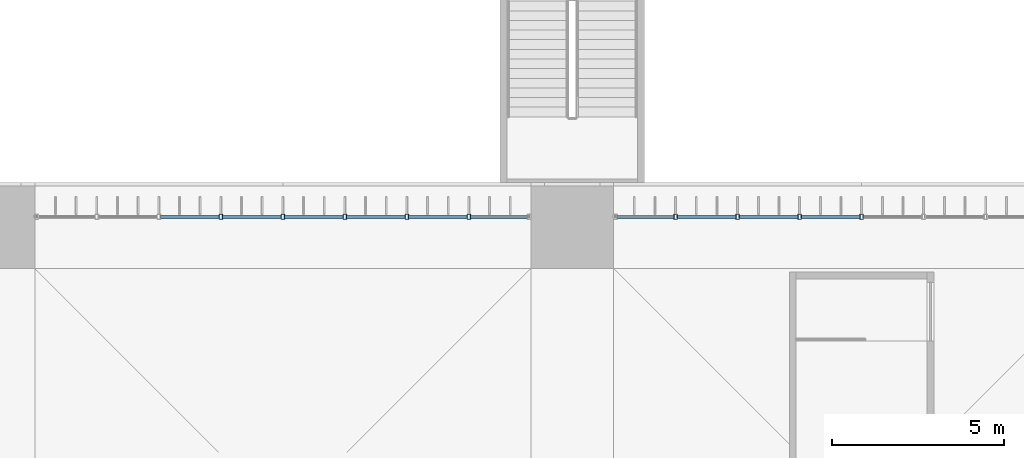
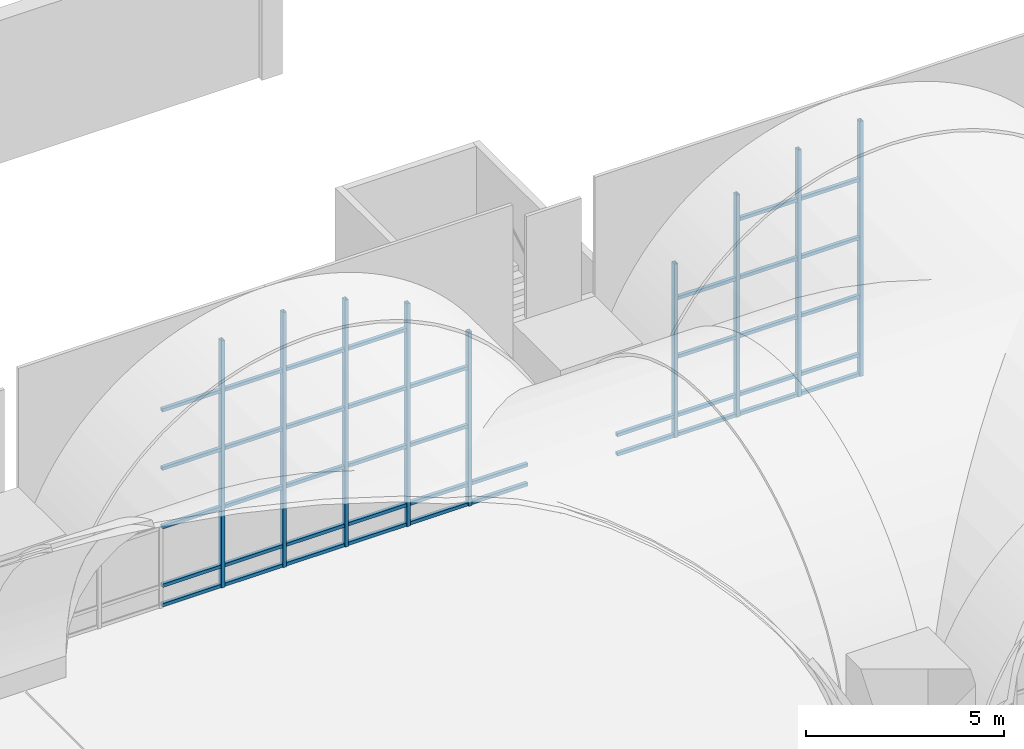
# One storey, part 40 of 169: 51 members, 2 elements without a shape of their own.
"""IFC4 building model written with IfcOpenShell, lengths in metres."""

import ifcopenshell
import ifcopenshell.guid

model = None  # the IFC model being written
_history = None  # IfcOwnerHistory: only IFC2X3 demands one
_inside = {}  # id of a spatial element -> (the spatial element, [elements in it])
_under = {}  # id of a project, library or spatial element -> (it, [spatial elements below it])
_declared = {}  # id of a project -> (the project, [libraries it declares])
_typed = {}  # id of a type object -> (the type object, [elements of that type])
_made_of = {}  # id of a material, layer set ... -> (it, [elements and type objects made of it])


def new_model(schema):
    """Start an empty IFC model of exactly this schema.

    Asked for "IFC4X3", IfcOpenShell would pick the latest addendum, in which some entities
    have other attributes; the version numbers below select the first issue.
    IFC2X3 requires an IfcOwnerHistory on every rooted entity: one is made here for all.
    """
    global model, _history
    if schema == "IFC4X3":
        model = ifcopenshell.file(schema_version=(4, 3, 0, 0))
    else:
        model = ifcopenshell.file(schema=schema)
    _inside.clear()
    _under.clear()
    _declared.clear()
    _typed.clear()
    _made_of.clear()
    _history = None
    if model.schema == "IFC2X3":
        org = make("IfcOrganization", Name="unknown")
        user = make(
            "IfcPersonAndOrganization",
            ThePerson=make("IfcPerson", FamilyName="unknown"),
            TheOrganization=org,
        )
        app = make(
            "IfcApplication",
            ApplicationDeveloper=org,
            Version="unknown",
            ApplicationFullName="unknown",
            ApplicationIdentifier="unknown",
        )
        _history = make(
            "IfcOwnerHistory",
            OwningUser=user,
            OwningApplication=app,
            ChangeAction="ADDED",
            CreationDate=0,
        )
    return model


def make(cls, **values):
    """One entity of the class cls with the attributes given. An attribute that is None is left unset."""
    return model.create_entity(
        cls, **{name: value for name, value in values.items() if value is not None}
    )


def rooted(cls, **values):
    """An entity with a GlobalId (a new one), such as an element, a storey or a relation."""
    return make(cls, GlobalId=ifcopenshell.guid.new(), OwnerHistory=_history, **values)


def si_unit(unit_type, name, prefix=None):
    """IfcSIUnit, for example si_unit("LENGTHUNIT", "METRE", prefix="MILLI")."""
    return make("IfcSIUnit", UnitType=unit_type, Prefix=prefix, Name=name)


def assignment(units):
    """IfcUnitAssignment: the units of a project."""
    return None if units is None else make("IfcUnitAssignment", Units=units)


def point(xyz):
    """IfcCartesianPoint."""
    return None if xyz is None else make("IfcCartesianPoint", Coordinates=xyz)


def direction(xyz):
    """IfcDirection."""
    return None if xyz is None else make("IfcDirection", DirectionRatios=xyz)


def frame(location, z_axis=None, x_axis=None):
    """IfcAxis2Placement3D, a coordinate frame: its origin and axes. An axis left out is left unset."""
    return make(
        "IfcAxis2Placement3D",
        Location=point(location),
        Axis=direction(z_axis),
        RefDirection=direction(x_axis),
    )


def frame_2d(location, x_axis=None):
    """IfcAxis2Placement2D, a coordinate frame in the plane: its origin and x axis."""
    return make(
        "IfcAxis2Placement2D", Location=point(location), RefDirection=direction(x_axis)
    )


def origin():
    """The frame at (0, 0, 0) with its axes left unset."""
    return frame((0.0, 0.0, 0.0))


def origin_2d():
    """The frame at (0, 0) in the plane with its x axis left unset."""
    return frame_2d((0.0, 0.0))


def place(relative_to, where):
    """IfcLocalPlacement: puts the frame where relative to a parent placement (None: the world)."""
    return make(
        "IfcLocalPlacement", PlacementRelTo=relative_to, RelativePlacement=where
    )


def context(
    kind, dimensions, precision=None, world=None, true_north=None, identifier=None
):
    """IfcGeometricRepresentationContext, for example the 3D "Model" context."""
    return make(
        "IfcGeometricRepresentationContext",
        ContextIdentifier=identifier,
        ContextType=kind,
        CoordinateSpaceDimension=dimensions,
        Precision=precision,
        WorldCoordinateSystem=world,
        TrueNorth=true_north,
    )


def subcontext(parent, identifier, kind, view, scale=None):
    """IfcGeometricRepresentationSubContext, for example "Body" below "Model"."""
    return make(
        "IfcGeometricRepresentationSubContext",
        ContextIdentifier=identifier,
        ContextType=kind,
        ParentContext=parent,
        TargetScale=scale,
        TargetView=view,
    )


def project(units=None, contexts=None):
    """IfcProject with its units and contexts."""
    return rooted(
        "IfcProject",
        Name="project",
        RepresentationContexts=contexts,
        UnitsInContext=assignment(units),
    )


def spatial(cls, under=None, at=None, **own):
    """A site, building, storey or space (cls), placed at a placement, below another one or the project."""
    s = rooted(cls, ObjectPlacement=at, **own)
    if under is not None:
        _under.setdefault(under.id(), (under, []))[1].append(s)
    return s


def profile(cls, at=None, kind="AREA", **sizes):
    """A parametric profile (cls). Its sizes go by their IFC names, for example OverallWidth=200.0."""
    return make(cls, ProfileType=kind, Position=at, **sizes)


def hollow_rectangle(**sizes):
    """IfcRectangleHollowProfileDef."""
    return profile("IfcRectangleHollowProfileDef", **sizes)


def extrude(swept, where, along, depth):
    """IfcExtrudedAreaSolid: the profile swept, set in the frame where, extruded along a direction by depth."""
    return make(
        "IfcExtrudedAreaSolid",
        SweptArea=swept,
        Position=where,
        ExtrudedDirection=direction(along),
        Depth=depth,
    )


def shape(context_of_items, identifier, shape_type, items):
    """IfcShapeRepresentation: the items that make up one representation, for example the "Body"."""
    return make(
        "IfcShapeRepresentation",
        ContextOfItems=context_of_items,
        RepresentationIdentifier=identifier,
        RepresentationType=shape_type,
        Items=items,
    )


def material(Name=None, Category=None):
    """IfcMaterial."""
    return make("IfcMaterial", Name=Name, Category=Category)


def layer(
    of_material, thickness, ventilated=None, Name=None, Category=None, Priority=None
):
    """IfcMaterialLayer: one layer of a wall or slab, of a material (None: an air gap)."""
    return make(
        "IfcMaterialLayer",
        Material=of_material,
        LayerThickness=thickness,
        IsVentilated=ventilated,
        Name=Name,
        Category=Category,
        Priority=Priority,
    )


def layer_set(layers, Name=None):
    """IfcMaterialLayerSet."""
    return make("IfcMaterialLayerSet", MaterialLayers=layers, LayerSetName=Name)


def material_profile(
    of_material, cross_section, Name=None, Category=None, Priority=None
):
    """IfcMaterialProfile: a cross section and its material."""
    return make(
        "IfcMaterialProfile",
        Name=Name,
        Material=of_material,
        Profile=cross_section,
        Priority=Priority,
        Category=Category,
    )


def profile_set(profiles, Name=None, composite=None):
    """IfcMaterialProfileSet."""
    return make(
        "IfcMaterialProfileSet",
        Name=Name,
        MaterialProfiles=profiles,
        CompositeProfile=composite,
    )


def made_of(thing, what):
    """Note that an element or type object is made of a material, layer set ...; save() writes the relation."""
    if what is not None:
        _made_of.setdefault(what.id(), (what, []))[1].append(thing)
    return thing


def type_object(cls, material=None, **own):
    """A type object (cls), such as IfcWallType, which elements share."""
    return made_of(rooted(cls, **own), material)


def element(
    cls,
    number,
    at=None,
    inside=None,
    cuts=None,
    type_object=None,
    material=None,
    context=None,
    identifier="Body",
    shape_type=None,
    held_by="IfcProductDefinitionShape",
    body=None,
    shapes=None,
    **own,
):
    """One element of the class cls, such as IfcWall. Its Tag is "e" and its number.

    at: its placement. inside: the storey or other place that contains it. cuts: it is an
    opening in that element (IfcRelVoidsElement). A single representation is given by context,
    identifier, shape_type and body (its items); several are given by shapes. held_by: the class
    of the entity that holds the representations. save() writes the other relations.
    """
    e = rooted(cls, Tag="e%d" % number, ObjectPlacement=at, **own)
    if body is not None:
        shapes = [shape(context, identifier, shape_type, body)]
    if shapes is not None:
        e.Representation = make(held_by, Representations=shapes)
    if inside is not None:
        _inside.setdefault(inside.id(), (inside, []))[1].append(e)
    if cuts is not None:
        rooted(
            "IfcRelVoidsElement", RelatingBuildingElement=cuts, RelatedOpeningElement=e
        )
    if type_object is not None:
        _typed.setdefault(type_object.id(), (type_object, []))[1].append(e)
    return made_of(e, material)


def aggregate(whole, parts):
    """IfcRelAggregates: a whole, such as a stair, and the parts it consists of."""
    return rooted("IfcRelAggregates", RelatingObject=whole, RelatedObjects=parts)


def save(model, path):
    """Write the relations noted so far, then the file.

    IfcRelAggregates (storeys below a building ...), IfcRelContainedInSpatialStructure (elements
    in a storey), IfcRelDefinesByType, IfcRelAssociatesMaterial and IfcRelDeclares: one each for
    every whole, place, type object, material and project.
    """
    for whole, parts in _under.values():
        aggregate(whole, parts)
    for where, things in _inside.values():
        rooted(
            "IfcRelContainedInSpatialStructure",
            RelatedElements=things,
            RelatingStructure=where,
        )
    for kind, things in _typed.values():
        rooted("IfcRelDefinesByType", RelatedObjects=things, RelatingType=kind)
    for what, things in _made_of.values():
        rooted("IfcRelAssociatesMaterial", RelatedObjects=things, RelatingMaterial=what)
    for by, libraries in _declared.values():
        rooted("IfcRelDeclares", RelatingContext=by, RelatedDefinitions=libraries)
    model.write(path)


model = new_model("IFC4")

# Units and contexts
model_context = context("Model", 3, precision=1e-05, world=origin(), true_north=direction((0.0, 1.0)))
body_context = subcontext(model_context, "Body", "Model", "MODEL_VIEW")
ifc_project = project(units=[si_unit("LENGTHUNIT", "METRE"), si_unit("AREAUNIT", "SQUARE_METRE"), si_unit("VOLUMEUNIT", "CUBIC_METRE"), si_unit("PLANEANGLEUNIT", "RADIAN"), si_unit("MASSUNIT", "GRAM", prefix="KILO")], contexts=[model_context])

# Site, building, storey
site_placement = place(None, origin())
site = spatial("IfcSite", under=ifc_project, at=site_placement, CompositionType="ELEMENT")
building_placement = place(site_placement, origin())
building = spatial("IfcBuilding", under=site, at=building_placement, Name="Verrick Yard Athletic Hall", CompositionType="ELEMENT")
storey_placement = place(building_placement, frame((0.0, 0.0, 4.39990234375)))
storey = spatial("IfcBuildingStorey", under=building, at=storey_placement, Name="L01", CompositionType="ELEMENT", Elevation=4.39990234375)

# Curtain wall, members
ifc_material_1 = material(Name="Aluminium and glass curtain wall", Category="aluminium")
ifc_layer = layer(ifc_material_1, 0.14990234375)
ifc_layer_set = layer_set([ifc_layer], Name="Arcade glazing arch")
curtain_wall_type = type_object("IfcCurtainWallType", Name="Arcade glazing arch", PredefinedType="NOTDEFINED", material=ifc_layer_set)
curtain_wall_1_placement = place(storey_placement, origin())
curtain_wall_1 = element("IfcCurtainWall", 1, at=curtain_wall_1_placement, inside=storey, type_object=curtain_wall_type, Name="Arcade glazing N4", PredefinedType="NOTDEFINED")
ifc_material_2 = material(Name="Structural steel HSS Class C 350W (CSA G40.20/G40.21)", Category="steel")
ifc_material_profile_1 = material_profile(ifc_material_2, hollow_rectangle(XDim=0.1015625, YDim=0.15234375, WallThickness=0.008056640625, at=origin_2d()), Name="HSS152x102x7.9")
ifc_profile_set_1 = profile_set([ifc_material_profile_1], Name="Structural steel HSS Class C 350W (CSA G40.20/G40.21)")
member_type_1 = type_object("IfcMemberType", Name="Curtain wall mullion HSS152x102x7.9", PredefinedType="MULLION", material=ifc_profile_set_1)
member_1_placement = place(storey_placement, frame((97.0, 53.10009765625, 0.0), z_axis=(0.0, 0.0, 1.0), x_axis=(1.0, 0.0, 0.0)))
member_1 = element("IfcMember", 2, at=member_1_placement, type_object=member_type_1, Name="Arcade glazing N4 mullion 4", PredefinedType="MULLION", context=body_context, shape_type="SweptSolid", body=[
    extrude(hollow_rectangle(XDim=0.1015625, YDim=0.15234375, WallThickness=0.008056640625, at=origin_2d()), origin(), (0.0, 0.0, 1.0), 7.607666015625),
])
member_2_placement = place(storey_placement, frame((98.800048828125, 53.10009765625, 0.0), z_axis=(0.0, 0.0, 1.0), x_axis=(1.0, 0.0, 0.0)))
member_2 = element("IfcMember", 3, at=member_2_placement, type_object=member_type_1, Name="Arcade glazing N4 mullion 5", PredefinedType="MULLION", context=body_context, shape_type="SweptSolid", body=[
    extrude(hollow_rectangle(XDim=0.1015625, YDim=0.15234375, WallThickness=0.008056640625, at=origin_2d()), origin(), (0.0, 0.0, 1.0), 7.8486328125),
])
member_3_placement = place(storey_placement, frame((100.60009765625, 53.10009765625, 0.0), z_axis=(0.0, 0.0, 1.0), x_axis=(1.0, 0.0, 0.0)))
member_3 = element("IfcMember", 4, at=member_3_placement, type_object=member_type_1, Name="Arcade glazing N4 mullion 6", PredefinedType="MULLION", context=body_context, shape_type="SweptSolid", body=[
    extrude(hollow_rectangle(XDim=0.1015625, YDim=0.15234375, WallThickness=0.008056640625, at=origin_2d()), origin(), (0.0, 0.0, 1.0), 7.607666015625),
])
member_4_placement = place(storey_placement, frame((102.39990234375, 53.10009765625, 0.0), z_axis=(0.0, 0.0, 1.0), x_axis=(1.0, 0.0, 0.0)))
member_4 = element("IfcMember", 5, at=member_4_placement, type_object=member_type_1, Name="Arcade glazing N4 mullion 7", PredefinedType="MULLION", context=body_context, shape_type="SweptSolid", body=[
    extrude(hollow_rectangle(XDim=0.1015625, YDim=0.15234375, WallThickness=0.008056640625, at=origin_2d()), origin(), (0.0, 0.0, 1.0), 6.8544921875),
])
member_5_placement = place(storey_placement, frame((104.199951171875, 53.10009765625, 0.0), z_axis=(0.0, 0.0, 1.0), x_axis=(1.0, 0.0, 0.0)))
member_5 = element("IfcMember", 6, at=member_5_placement, type_object=member_type_1, Name="Arcade glazing N4 mullion 8", PredefinedType="MULLION", context=body_context, shape_type="SweptSolid", body=[
    extrude(hollow_rectangle(XDim=0.1015625, YDim=0.15234375, WallThickness=0.008056640625, at=origin_2d()), origin(), (0.0, 0.0, 1.0), 5.351806640625),
])

curtain_wall_2_placement = place(storey_placement, origin())
curtain_wall_2 = element("IfcCurtainWall", 7, at=curtain_wall_2_placement, inside=storey, type_object=curtain_wall_type, Name="Arcade glazing N5", PredefinedType="NOTDEFINED")
member_6_placement = place(storey_placement, frame((110.199951171875, 53.10009765625, 0.0), z_axis=(0.0, 0.0, 1.0), x_axis=(1.0, 0.0, 0.0)))
member_6 = element("IfcMember", 8, at=member_6_placement, type_object=member_type_1, Name="Arcade glazing N5 mullion 2", PredefinedType="MULLION", context=body_context, shape_type="SweptSolid", body=[
    extrude(hollow_rectangle(XDim=0.1015625, YDim=0.15234375, WallThickness=0.008056640625, at=origin_2d()), origin(), (0.0, 0.0, 1.0), 5.351806640625),
])
member_7_placement = place(storey_placement, frame((112.0, 53.10009765625, 0.0), z_axis=(0.0, 0.0, 1.0), x_axis=(1.0, 0.0, 0.0)))
member_7 = element("IfcMember", 9, at=member_7_placement, type_object=member_type_1, Name="Arcade glazing N5 mullion 3", PredefinedType="MULLION", context=body_context, shape_type="SweptSolid", body=[
    extrude(hollow_rectangle(XDim=0.1015625, YDim=0.15234375, WallThickness=0.008056640625, at=origin_2d()), origin(), (0.0, 0.0, 1.0), 6.8544921875),
])
member_8_placement = place(storey_placement, frame((113.800048828125, 53.10009765625, 0.0), z_axis=(0.0, 0.0, 1.0), x_axis=(1.0, 0.0, 0.0)))
member_8 = element("IfcMember", 10, at=member_8_placement, type_object=member_type_1, Name="Arcade glazing N5 mullion 4", PredefinedType="MULLION", context=body_context, shape_type="SweptSolid", body=[
    extrude(hollow_rectangle(XDim=0.1015625, YDim=0.15234375, WallThickness=0.008056640625, at=origin_2d()), origin(), (0.0, 0.0, 1.0), 7.607666015625),
])
member_9_placement = place(storey_placement, frame((115.60009765625, 53.10009765625, 0.0), z_axis=(0.0, 0.0, 1.0), x_axis=(1.0, 0.0, 0.0)))
member_9 = element("IfcMember", 11, at=member_9_placement, type_object=member_type_1, Name="Arcade glazing N5 mullion 5", PredefinedType="MULLION", context=body_context, shape_type="SweptSolid", body=[
    extrude(hollow_rectangle(XDim=0.1015625, YDim=0.15234375, WallThickness=0.008056640625, at=origin_2d()), origin(), (0.0, 0.0, 1.0), 7.8486328125),
])

# Member
ifc_material_profile_2 = material_profile(ifc_material_2, hollow_rectangle(XDim=0.1015625, YDim=0.1015625, WallThickness=0.00634765625, at=origin_2d()), Name="HSS102x102x6.4")
ifc_profile_set_2 = profile_set([ifc_material_profile_2], Name="Structural steel HSS Class C 350W (CSA G40.20/G40.21)")
member_type_2 = type_object("IfcMemberType", Name="Curtain wall transom HSS102x102x6.4", PredefinedType="USERDEFINED", material=ifc_profile_set_2)
member_10_placement = place(storey_placement, frame((95.250732421875, 53.10009765625, 0.05078125), z_axis=(1.0, 0.0, 0.0), x_axis=(0.0, 1.0, 0.0)))
member_10 = element("IfcMember", 12, at=member_10_placement, type_object=member_type_2, Name="Arcade glazing N4 transom 7", ObjectType="TRANSOM", PredefinedType="USERDEFINED", context=body_context, shape_type="SweptSolid", body=[
    extrude(hollow_rectangle(XDim=0.1015625, YDim=0.1015625, WallThickness=0.00634765625, at=origin_2d()), origin(), (0.0, 0.0, 1.0), 1.698486328125),
])

member_11_placement = place(storey_placement, frame((95.250732421875, 53.10009765625, 0.650146484375), z_axis=(1.0, 0.0, 0.0), x_axis=(0.0, 1.0, 0.0)))
member_11 = element("IfcMember", 13, at=member_11_placement, type_object=member_type_2, Name="Arcade glazing N4 transom 8", ObjectType="TRANSOM", PredefinedType="USERDEFINED", context=body_context, shape_type="SweptSolid", body=[
    extrude(hollow_rectangle(XDim=0.1015625, YDim=0.1015625, WallThickness=0.00634765625, at=origin_2d()), origin(), (0.0, 0.0, 1.0), 1.698486328125),
])

member_12_placement = place(storey_placement, frame((95.250732421875, 53.10009765625, 2.4501953125), z_axis=(1.0, 0.0, 0.0), x_axis=(0.0, 1.0, 0.0)))
member_12 = element("IfcMember", 14, at=member_12_placement, type_object=member_type_2, Name="Arcade glazing N4 transom 9", ObjectType="TRANSOM", PredefinedType="USERDEFINED", context=body_context, shape_type="SweptSolid", body=[
    extrude(hollow_rectangle(XDim=0.1015625, YDim=0.1015625, WallThickness=0.00634765625, at=origin_2d()), origin(), (0.0, 0.0, 1.0), 1.698486328125),
])

member_13_placement = place(storey_placement, frame((95.250732421875, 53.10009765625, 4.25), z_axis=(1.0, 0.0, 0.0), x_axis=(0.0, 1.0, 0.0)))
member_13 = element("IfcMember", 15, at=member_13_placement, type_object=member_type_2, Name="Arcade glazing N4 transom 10", ObjectType="TRANSOM", PredefinedType="USERDEFINED", context=body_context, shape_type="SweptSolid", body=[
    extrude(hollow_rectangle(XDim=0.1015625, YDim=0.1015625, WallThickness=0.00634765625, at=origin_2d()), origin(), (0.0, 0.0, 1.0), 1.698486328125),
])

member_14_placement = place(storey_placement, frame((95.250732421875, 53.10009765625, 6.050048828125), z_axis=(1.0, 0.0, 0.0), x_axis=(0.0, 1.0, 0.0)))
member_14 = element("IfcMember", 16, at=member_14_placement, type_object=member_type_2, Name="Arcade glazing N4 transom 11", ObjectType="TRANSOM", PredefinedType="USERDEFINED", context=body_context, shape_type="SweptSolid", body=[
    extrude(hollow_rectangle(XDim=0.1015625, YDim=0.1015625, WallThickness=0.00634765625, at=origin_2d()), origin(), (0.0, 0.0, 1.0), 1.698486328125),
])

member_15_placement = place(storey_placement, frame((97.05078125, 53.10009765625, 0.05078125), z_axis=(1.0, 0.0, 0.0), x_axis=(0.0, 1.0, 0.0)))
member_15 = element("IfcMember", 17, at=member_15_placement, type_object=member_type_2, Name="Arcade glazing N4 transom 12", ObjectType="TRANSOM", PredefinedType="USERDEFINED", context=body_context, shape_type="SweptSolid", body=[
    extrude(hollow_rectangle(XDim=0.1015625, YDim=0.1015625, WallThickness=0.00634765625, at=origin_2d()), origin(), (0.0, 0.0, 1.0), 1.698486328125),
])

member_16_placement = place(storey_placement, frame((97.05078125, 53.10009765625, 0.650146484375), z_axis=(1.0, 0.0, 0.0), x_axis=(0.0, 1.0, 0.0)))
member_16 = element("IfcMember", 18, at=member_16_placement, type_object=member_type_2, Name="Arcade glazing N4 transom 13", ObjectType="TRANSOM", PredefinedType="USERDEFINED", context=body_context, shape_type="SweptSolid", body=[
    extrude(hollow_rectangle(XDim=0.1015625, YDim=0.1015625, WallThickness=0.00634765625, at=origin_2d()), origin(), (0.0, 0.0, 1.0), 1.698486328125),
])

member_17_placement = place(storey_placement, frame((97.05078125, 53.10009765625, 2.4501953125), z_axis=(1.0, 0.0, 0.0), x_axis=(0.0, 1.0, 0.0)))
member_17 = element("IfcMember", 19, at=member_17_placement, type_object=member_type_2, Name="Arcade glazing N4 transom 14", ObjectType="TRANSOM", PredefinedType="USERDEFINED", context=body_context, shape_type="SweptSolid", body=[
    extrude(hollow_rectangle(XDim=0.1015625, YDim=0.1015625, WallThickness=0.00634765625, at=origin_2d()), origin(), (0.0, 0.0, 1.0), 1.698486328125),
])

member_18_placement = place(storey_placement, frame((97.05078125, 53.10009765625, 4.25), z_axis=(1.0, 0.0, 0.0), x_axis=(0.0, 1.0, 0.0)))
member_18 = element("IfcMember", 20, at=member_18_placement, type_object=member_type_2, Name="Arcade glazing N4 transom 15", ObjectType="TRANSOM", PredefinedType="USERDEFINED", context=body_context, shape_type="SweptSolid", body=[
    extrude(hollow_rectangle(XDim=0.1015625, YDim=0.1015625, WallThickness=0.00634765625, at=origin_2d()), origin(), (0.0, 0.0, 1.0), 1.698486328125),
])

member_19_placement = place(storey_placement, frame((97.05078125, 53.10009765625, 6.050048828125), z_axis=(1.0, 0.0, 0.0), x_axis=(0.0, 1.0, 0.0)))
member_19 = element("IfcMember", 21, at=member_19_placement, type_object=member_type_2, Name="Arcade glazing N4 transom 16", ObjectType="TRANSOM", PredefinedType="USERDEFINED", context=body_context, shape_type="SweptSolid", body=[
    extrude(hollow_rectangle(XDim=0.1015625, YDim=0.1015625, WallThickness=0.00634765625, at=origin_2d()), origin(), (0.0, 0.0, 1.0), 1.698486328125),
])

member_20_placement = place(storey_placement, frame((98.850830078125, 53.10009765625, 0.05078125), z_axis=(1.0, 0.0, 0.0), x_axis=(0.0, 1.0, 0.0)))
member_20 = element("IfcMember", 22, at=member_20_placement, type_object=member_type_2, Name="Arcade glazing N4 transom 17", ObjectType="TRANSOM", PredefinedType="USERDEFINED", context=body_context, shape_type="SweptSolid", body=[
    extrude(hollow_rectangle(XDim=0.1015625, YDim=0.1015625, WallThickness=0.00634765625, at=origin_2d()), origin(), (0.0, 0.0, 1.0), 1.698486328125),
])

member_21_placement = place(storey_placement, frame((98.850830078125, 53.10009765625, 0.650146484375), z_axis=(1.0, 0.0, 0.0), x_axis=(0.0, 1.0, 0.0)))
member_21 = element("IfcMember", 23, at=member_21_placement, type_object=member_type_2, Name="Arcade glazing N4 transom 18", ObjectType="TRANSOM", PredefinedType="USERDEFINED", context=body_context, shape_type="SweptSolid", body=[
    extrude(hollow_rectangle(XDim=0.1015625, YDim=0.1015625, WallThickness=0.00634765625, at=origin_2d()), origin(), (0.0, 0.0, 1.0), 1.698486328125),
])

member_22_placement = place(storey_placement, frame((98.850830078125, 53.10009765625, 2.4501953125), z_axis=(1.0, 0.0, 0.0), x_axis=(0.0, 1.0, 0.0)))
member_22 = element("IfcMember", 24, at=member_22_placement, type_object=member_type_2, Name="Arcade glazing N4 transom 19", ObjectType="TRANSOM", PredefinedType="USERDEFINED", context=body_context, shape_type="SweptSolid", body=[
    extrude(hollow_rectangle(XDim=0.1015625, YDim=0.1015625, WallThickness=0.00634765625, at=origin_2d()), origin(), (0.0, 0.0, 1.0), 1.698486328125),
])

member_23_placement = place(storey_placement, frame((98.850830078125, 53.10009765625, 4.25), z_axis=(1.0, 0.0, 0.0), x_axis=(0.0, 1.0, 0.0)))
member_23 = element("IfcMember", 25, at=member_23_placement, type_object=member_type_2, Name="Arcade glazing N4 transom 20", ObjectType="TRANSOM", PredefinedType="USERDEFINED", context=body_context, shape_type="SweptSolid", body=[
    extrude(hollow_rectangle(XDim=0.1015625, YDim=0.1015625, WallThickness=0.00634765625, at=origin_2d()), origin(), (0.0, 0.0, 1.0), 1.698486328125),
])

member_24_placement = place(storey_placement, frame((98.850830078125, 53.10009765625, 6.050048828125), z_axis=(1.0, 0.0, 0.0), x_axis=(0.0, 1.0, 0.0)))
member_24 = element("IfcMember", 26, at=member_24_placement, type_object=member_type_2, Name="Arcade glazing N4 transom 21", ObjectType="TRANSOM", PredefinedType="USERDEFINED", context=body_context, shape_type="SweptSolid", body=[
    extrude(hollow_rectangle(XDim=0.1015625, YDim=0.1015625, WallThickness=0.00634765625, at=origin_2d()), origin(), (0.0, 0.0, 1.0), 1.698486328125),
])

member_25_placement = place(storey_placement, frame((100.65087890625, 53.10009765625, 0.05078125), z_axis=(1.0, 0.0, 0.0), x_axis=(0.0, 1.0, 0.0)))
member_25 = element("IfcMember", 27, at=member_25_placement, type_object=member_type_2, Name="Arcade glazing N4 transom 22", ObjectType="TRANSOM", PredefinedType="USERDEFINED", context=body_context, shape_type="SweptSolid", body=[
    extrude(hollow_rectangle(XDim=0.1015625, YDim=0.1015625, WallThickness=0.00634765625, at=origin_2d()), origin(), (0.0, 0.0, 1.0), 1.6982421875),
])

member_26_placement = place(storey_placement, frame((100.65087890625, 53.10009765625, 0.650146484375), z_axis=(1.0, 0.0, 0.0), x_axis=(0.0, 1.0, 0.0)))
member_26 = element("IfcMember", 28, at=member_26_placement, type_object=member_type_2, Name="Arcade glazing N4 transom 23", ObjectType="TRANSOM", PredefinedType="USERDEFINED", context=body_context, shape_type="SweptSolid", body=[
    extrude(hollow_rectangle(XDim=0.1015625, YDim=0.1015625, WallThickness=0.00634765625, at=origin_2d()), origin(), (0.0, 0.0, 1.0), 1.6982421875),
])

member_27_placement = place(storey_placement, frame((100.65087890625, 53.10009765625, 2.4501953125), z_axis=(1.0, 0.0, 0.0), x_axis=(0.0, 1.0, 0.0)))
member_27 = element("IfcMember", 29, at=member_27_placement, type_object=member_type_2, Name="Arcade glazing N4 transom 24", ObjectType="TRANSOM", PredefinedType="USERDEFINED", context=body_context, shape_type="SweptSolid", body=[
    extrude(hollow_rectangle(XDim=0.1015625, YDim=0.1015625, WallThickness=0.00634765625, at=origin_2d()), origin(), (0.0, 0.0, 1.0), 1.6982421875),
])

member_28_placement = place(storey_placement, frame((100.65087890625, 53.10009765625, 4.25), z_axis=(1.0, 0.0, 0.0), x_axis=(0.0, 1.0, 0.0)))
member_28 = element("IfcMember", 30, at=member_28_placement, type_object=member_type_2, Name="Arcade glazing N4 transom 25", ObjectType="TRANSOM", PredefinedType="USERDEFINED", context=body_context, shape_type="SweptSolid", body=[
    extrude(hollow_rectangle(XDim=0.1015625, YDim=0.1015625, WallThickness=0.00634765625, at=origin_2d()), origin(), (0.0, 0.0, 1.0), 1.6982421875),
])

member_29_placement = place(storey_placement, frame((100.65087890625, 53.10009765625, 6.050048828125), z_axis=(1.0, 0.0, 0.0), x_axis=(0.0, 1.0, 0.0)))
member_29 = element("IfcMember", 31, at=member_29_placement, type_object=member_type_2, Name="Arcade glazing N4 transom 26", ObjectType="TRANSOM", PredefinedType="USERDEFINED", context=body_context, shape_type="SweptSolid", body=[
    extrude(hollow_rectangle(XDim=0.1015625, YDim=0.1015625, WallThickness=0.00634765625, at=origin_2d()), origin(), (0.0, 0.0, 1.0), 1.6982421875),
])

member_30_placement = place(storey_placement, frame((102.45068359375, 53.10009765625, 0.05078125), z_axis=(1.0, 0.0, 0.0), x_axis=(0.0, 1.0, 0.0)))
member_30 = element("IfcMember", 32, at=member_30_placement, type_object=member_type_2, Name="Arcade glazing N4 transom 27", ObjectType="TRANSOM", PredefinedType="USERDEFINED", context=body_context, shape_type="SweptSolid", body=[
    extrude(hollow_rectangle(XDim=0.1015625, YDim=0.1015625, WallThickness=0.00634765625, at=origin_2d()), origin(), (0.0, 0.0, 1.0), 1.698486328125),
])

member_31_placement = place(storey_placement, frame((102.45068359375, 53.10009765625, 0.650146484375), z_axis=(1.0, 0.0, 0.0), x_axis=(0.0, 1.0, 0.0)))
member_31 = element("IfcMember", 33, at=member_31_placement, type_object=member_type_2, Name="Arcade glazing N4 transom 28", ObjectType="TRANSOM", PredefinedType="USERDEFINED", context=body_context, shape_type="SweptSolid", body=[
    extrude(hollow_rectangle(XDim=0.1015625, YDim=0.1015625, WallThickness=0.00634765625, at=origin_2d()), origin(), (0.0, 0.0, 1.0), 1.698486328125),
])

member_32_placement = place(storey_placement, frame((102.45068359375, 53.10009765625, 2.4501953125), z_axis=(1.0, 0.0, 0.0), x_axis=(0.0, 1.0, 0.0)))
member_32 = element("IfcMember", 34, at=member_32_placement, type_object=member_type_2, Name="Arcade glazing N4 transom 29", ObjectType="TRANSOM", PredefinedType="USERDEFINED", context=body_context, shape_type="SweptSolid", body=[
    extrude(hollow_rectangle(XDim=0.1015625, YDim=0.1015625, WallThickness=0.00634765625, at=origin_2d()), origin(), (0.0, 0.0, 1.0), 1.698486328125),
])

member_33_placement = place(storey_placement, frame((102.45068359375, 53.10009765625, 4.25), z_axis=(1.0, 0.0, 0.0), x_axis=(0.0, 1.0, 0.0)))
member_33 = element("IfcMember", 35, at=member_33_placement, type_object=member_type_2, Name="Arcade glazing N4 transom 30", ObjectType="TRANSOM", PredefinedType="USERDEFINED", context=body_context, shape_type="SweptSolid", body=[
    extrude(hollow_rectangle(XDim=0.1015625, YDim=0.1015625, WallThickness=0.00634765625, at=origin_2d()), origin(), (0.0, 0.0, 1.0), 1.698486328125),
])

member_34_placement = place(storey_placement, frame((104.250732421875, 53.10009765625, 0.05078125), z_axis=(1.0, 0.0, 0.0), x_axis=(0.0, 1.0, 0.0)))
member_34 = element("IfcMember", 36, at=member_34_placement, type_object=member_type_2, Name="Arcade glazing N4 transom 31", ObjectType="TRANSOM", PredefinedType="USERDEFINED", context=body_context, shape_type="SweptSolid", body=[
    extrude(hollow_rectangle(XDim=0.1015625, YDim=0.1015625, WallThickness=0.00634765625, at=origin_2d()), origin(), (0.0, 0.0, 1.0), 1.647216796875),
])

member_35_placement = place(storey_placement, frame((104.250732421875, 53.10009765625, 0.650146484375), z_axis=(1.0, 0.0, 0.0), x_axis=(0.0, 1.0, 0.0)))
member_35 = element("IfcMember", 37, at=member_35_placement, type_object=member_type_2, Name="Arcade glazing N4 transom 32", ObjectType="TRANSOM", PredefinedType="USERDEFINED", context=body_context, shape_type="SweptSolid", body=[
    extrude(hollow_rectangle(XDim=0.1015625, YDim=0.1015625, WallThickness=0.00634765625, at=origin_2d()), origin(), (0.0, 0.0, 1.0), 1.647216796875),
])

aggregate(curtain_wall_1, [member_1, member_2, member_3, member_4, member_5, member_10, member_11, member_12, member_13, member_14, member_15, member_16, member_17, member_18, member_19, member_20, member_21, member_22, member_23, member_24, member_25, member_26, member_27, member_28, member_29, member_30, member_31, member_32, member_33, member_34, member_35])

member_36_placement = place(storey_placement, frame((108.502197265625, 53.10009765625, 0.05078125), z_axis=(1.0, 0.0, 0.0), x_axis=(0.0, 1.0, 0.0)))
member_36 = element("IfcMember", 38, at=member_36_placement, type_object=member_type_2, Name="Arcade glazing N5 transom 1", ObjectType="TRANSOM", PredefinedType="USERDEFINED", context=body_context, shape_type="SweptSolid", body=[
    extrude(hollow_rectangle(XDim=0.1015625, YDim=0.1015625, WallThickness=0.00634765625, at=origin_2d()), origin(), (0.0, 0.0, 1.0), 1.64697265625),
])

member_37_placement = place(storey_placement, frame((108.502197265625, 53.10009765625, 0.650146484375), z_axis=(1.0, 0.0, 0.0), x_axis=(0.0, 1.0, 0.0)))
member_37 = element("IfcMember", 39, at=member_37_placement, type_object=member_type_2, Name="Arcade glazing N5 transom 2", ObjectType="TRANSOM", PredefinedType="USERDEFINED", context=body_context, shape_type="SweptSolid", body=[
    extrude(hollow_rectangle(XDim=0.1015625, YDim=0.1015625, WallThickness=0.00634765625, at=origin_2d()), origin(), (0.0, 0.0, 1.0), 1.64697265625),
])

member_38_placement = place(storey_placement, frame((110.250732421875, 53.10009765625, 0.05078125), z_axis=(1.0, 0.0, 0.0), x_axis=(0.0, 1.0, 0.0)))
member_38 = element("IfcMember", 40, at=member_38_placement, type_object=member_type_2, Name="Arcade glazing N5 transom 3", ObjectType="TRANSOM", PredefinedType="USERDEFINED", context=body_context, shape_type="SweptSolid", body=[
    extrude(hollow_rectangle(XDim=0.1015625, YDim=0.1015625, WallThickness=0.00634765625, at=origin_2d()), origin(), (0.0, 0.0, 1.0), 1.698486328125),
])

member_39_placement = place(storey_placement, frame((110.250732421875, 53.10009765625, 0.650146484375), z_axis=(1.0, 0.0, 0.0), x_axis=(0.0, 1.0, 0.0)))
member_39 = element("IfcMember", 41, at=member_39_placement, type_object=member_type_2, Name="Arcade glazing N5 transom 4", ObjectType="TRANSOM", PredefinedType="USERDEFINED", context=body_context, shape_type="SweptSolid", body=[
    extrude(hollow_rectangle(XDim=0.1015625, YDim=0.1015625, WallThickness=0.00634765625, at=origin_2d()), origin(), (0.0, 0.0, 1.0), 1.698486328125),
])

member_40_placement = place(storey_placement, frame((110.250732421875, 53.10009765625, 2.4501953125), z_axis=(1.0, 0.0, 0.0), x_axis=(0.0, 1.0, 0.0)))
member_40 = element("IfcMember", 42, at=member_40_placement, type_object=member_type_2, Name="Arcade glazing N5 transom 5", ObjectType="TRANSOM", PredefinedType="USERDEFINED", context=body_context, shape_type="SweptSolid", body=[
    extrude(hollow_rectangle(XDim=0.1015625, YDim=0.1015625, WallThickness=0.00634765625, at=origin_2d()), origin(), (0.0, 0.0, 1.0), 1.698486328125),
])

member_41_placement = place(storey_placement, frame((110.250732421875, 53.10009765625, 4.25), z_axis=(1.0, 0.0, 0.0), x_axis=(0.0, 1.0, 0.0)))
member_41 = element("IfcMember", 43, at=member_41_placement, type_object=member_type_2, Name="Arcade glazing N5 transom 6", ObjectType="TRANSOM", PredefinedType="USERDEFINED", context=body_context, shape_type="SweptSolid", body=[
    extrude(hollow_rectangle(XDim=0.1015625, YDim=0.1015625, WallThickness=0.00634765625, at=origin_2d()), origin(), (0.0, 0.0, 1.0), 1.698486328125),
])

member_42_placement = place(storey_placement, frame((112.05078125, 53.10009765625, 0.05078125), z_axis=(1.0, 0.0, 0.0), x_axis=(0.0, 1.0, 0.0)))
member_42 = element("IfcMember", 44, at=member_42_placement, type_object=member_type_2, Name="Arcade glazing N5 transom 7", ObjectType="TRANSOM", PredefinedType="USERDEFINED", context=body_context, shape_type="SweptSolid", body=[
    extrude(hollow_rectangle(XDim=0.1015625, YDim=0.1015625, WallThickness=0.00634765625, at=origin_2d()), origin(), (0.0, 0.0, 1.0), 1.698486328125),
])

member_43_placement = place(storey_placement, frame((112.05078125, 53.10009765625, 0.650146484375), z_axis=(1.0, 0.0, 0.0), x_axis=(0.0, 1.0, 0.0)))
member_43 = element("IfcMember", 45, at=member_43_placement, type_object=member_type_2, Name="Arcade glazing N5 transom 8", ObjectType="TRANSOM", PredefinedType="USERDEFINED", context=body_context, shape_type="SweptSolid", body=[
    extrude(hollow_rectangle(XDim=0.1015625, YDim=0.1015625, WallThickness=0.00634765625, at=origin_2d()), origin(), (0.0, 0.0, 1.0), 1.698486328125),
])

member_44_placement = place(storey_placement, frame((112.05078125, 53.10009765625, 2.4501953125), z_axis=(1.0, 0.0, 0.0), x_axis=(0.0, 1.0, 0.0)))
member_44 = element("IfcMember", 46, at=member_44_placement, type_object=member_type_2, Name="Arcade glazing N5 transom 9", ObjectType="TRANSOM", PredefinedType="USERDEFINED", context=body_context, shape_type="SweptSolid", body=[
    extrude(hollow_rectangle(XDim=0.1015625, YDim=0.1015625, WallThickness=0.00634765625, at=origin_2d()), origin(), (0.0, 0.0, 1.0), 1.698486328125),
])

member_45_placement = place(storey_placement, frame((112.05078125, 53.10009765625, 4.25), z_axis=(1.0, 0.0, 0.0), x_axis=(0.0, 1.0, 0.0)))
member_45 = element("IfcMember", 47, at=member_45_placement, type_object=member_type_2, Name="Arcade glazing N5 transom 10", ObjectType="TRANSOM", PredefinedType="USERDEFINED", context=body_context, shape_type="SweptSolid", body=[
    extrude(hollow_rectangle(XDim=0.1015625, YDim=0.1015625, WallThickness=0.00634765625, at=origin_2d()), origin(), (0.0, 0.0, 1.0), 1.698486328125),
])

member_46_placement = place(storey_placement, frame((112.05078125, 53.10009765625, 6.050048828125), z_axis=(1.0, 0.0, 0.0), x_axis=(0.0, 1.0, 0.0)))
member_46 = element("IfcMember", 48, at=member_46_placement, type_object=member_type_2, Name="Arcade glazing N5 transom 11", ObjectType="TRANSOM", PredefinedType="USERDEFINED", context=body_context, shape_type="SweptSolid", body=[
    extrude(hollow_rectangle(XDim=0.1015625, YDim=0.1015625, WallThickness=0.00634765625, at=origin_2d()), origin(), (0.0, 0.0, 1.0), 1.698486328125),
])

member_47_placement = place(storey_placement, frame((113.850830078125, 53.10009765625, 0.05078125), z_axis=(1.0, 0.0, 0.0), x_axis=(0.0, 1.0, 0.0)))
member_47 = element("IfcMember", 49, at=member_47_placement, type_object=member_type_2, Name="Arcade glazing N5 transom 12", ObjectType="TRANSOM", PredefinedType="USERDEFINED", context=body_context, shape_type="SweptSolid", body=[
    extrude(hollow_rectangle(XDim=0.1015625, YDim=0.1015625, WallThickness=0.00634765625, at=origin_2d()), origin(), (0.0, 0.0, 1.0), 1.698486328125),
])

member_48_placement = place(storey_placement, frame((113.850830078125, 53.10009765625, 0.650146484375), z_axis=(1.0, 0.0, 0.0), x_axis=(0.0, 1.0, 0.0)))
member_48 = element("IfcMember", 50, at=member_48_placement, type_object=member_type_2, Name="Arcade glazing N5 transom 13", ObjectType="TRANSOM", PredefinedType="USERDEFINED", context=body_context, shape_type="SweptSolid", body=[
    extrude(hollow_rectangle(XDim=0.1015625, YDim=0.1015625, WallThickness=0.00634765625, at=origin_2d()), origin(), (0.0, 0.0, 1.0), 1.698486328125),
])

member_49_placement = place(storey_placement, frame((113.850830078125, 53.10009765625, 2.4501953125), z_axis=(1.0, 0.0, 0.0), x_axis=(0.0, 1.0, 0.0)))
member_49 = element("IfcMember", 51, at=member_49_placement, type_object=member_type_2, Name="Arcade glazing N5 transom 14", ObjectType="TRANSOM", PredefinedType="USERDEFINED", context=body_context, shape_type="SweptSolid", body=[
    extrude(hollow_rectangle(XDim=0.1015625, YDim=0.1015625, WallThickness=0.00634765625, at=origin_2d()), origin(), (0.0, 0.0, 1.0), 1.698486328125),
])

member_50_placement = place(storey_placement, frame((113.850830078125, 53.10009765625, 4.25), z_axis=(1.0, 0.0, 0.0), x_axis=(0.0, 1.0, 0.0)))
member_50 = element("IfcMember", 52, at=member_50_placement, type_object=member_type_2, Name="Arcade glazing N5 transom 15", ObjectType="TRANSOM", PredefinedType="USERDEFINED", context=body_context, shape_type="SweptSolid", body=[
    extrude(hollow_rectangle(XDim=0.1015625, YDim=0.1015625, WallThickness=0.00634765625, at=origin_2d()), origin(), (0.0, 0.0, 1.0), 1.698486328125),
])

member_51_placement = place(storey_placement, frame((113.850830078125, 53.10009765625, 6.050048828125), z_axis=(1.0, 0.0, 0.0), x_axis=(0.0, 1.0, 0.0)))
member_51 = element("IfcMember", 53, at=member_51_placement, type_object=member_type_2, Name="Arcade glazing N5 transom 16", ObjectType="TRANSOM", PredefinedType="USERDEFINED", context=body_context, shape_type="SweptSolid", body=[
    extrude(hollow_rectangle(XDim=0.1015625, YDim=0.1015625, WallThickness=0.00634765625, at=origin_2d()), origin(), (0.0, 0.0, 1.0), 1.698486328125),
])

aggregate(curtain_wall_2, [member_6, member_7, member_8, member_9, member_36, member_37, member_38, member_39, member_40, member_41, member_42, member_43, member_44, member_45, member_46, member_47, member_48, member_49, member_50, member_51])

save(model, "model.ifc")
